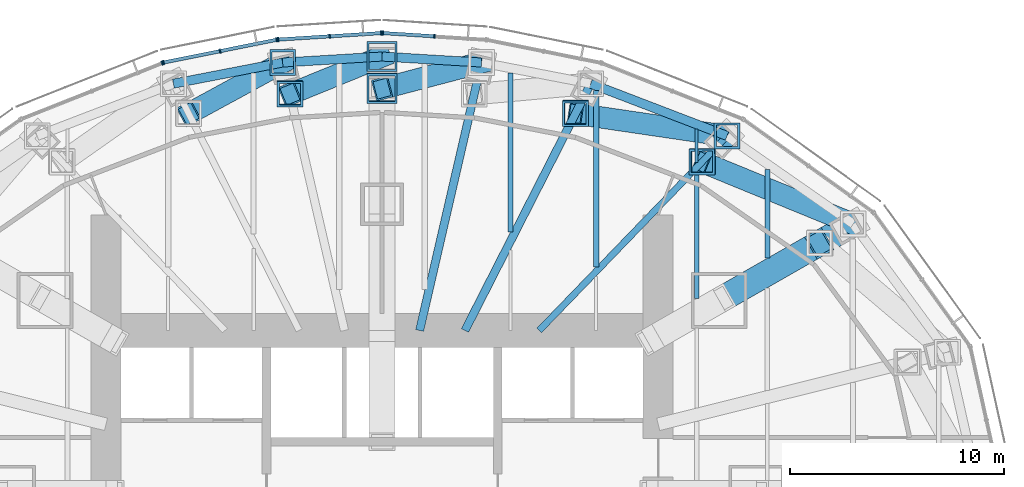
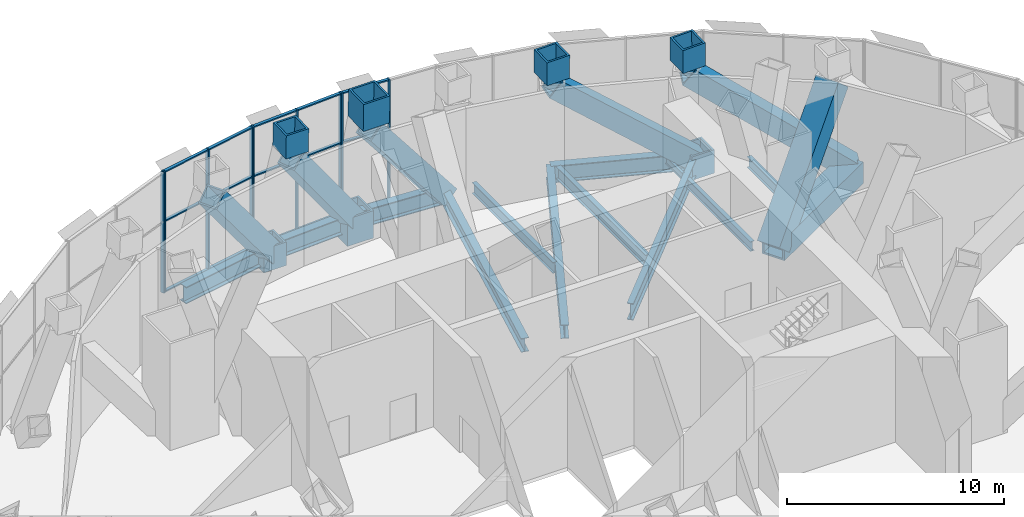
# One storey, part 9 of 19: 37 members, 13 beams, 4 elements without a shape of their own.
"""IFC4 building model written with IfcOpenShell, lengths in metres."""

from ifc_helpers import new_model, si_unit, direction, frame, origin, origin_2d, place, context, subcontext, project, spatial, rectangle, hollow_rectangle, i_section, extrude, material, material_profile, profile_set, type_object, element, aggregate, save


model = new_model("IFC4")

# Units and contexts
model_context = context("Model", 3, precision=1e-05, world=origin(), true_north=direction((0.0, 1.0)))
body_context = subcontext(model_context, "Body", "Model", "MODEL_VIEW")
ifc_project = project(units=[si_unit("LENGTHUNIT", "METRE"), si_unit("AREAUNIT", "SQUARE_METRE"), si_unit("VOLUMEUNIT", "CUBIC_METRE"), si_unit("PLANEANGLEUNIT", "RADIAN"), si_unit("MASSUNIT", "GRAM", prefix="KILO")], contexts=[model_context])

# Site, building, storey
site_placement = place(None, origin())
site = spatial("IfcSite", under=ifc_project, at=site_placement, CompositionType="ELEMENT")
building_placement = place(site_placement, origin())
building = spatial("IfcBuilding", under=site, at=building_placement, Name="Lantaw Convention Tower", CompositionType="ELEMENT")
storey_placement = place(building_placement, frame((0.0, 0.0, 193.0)))
storey = spatial("IfcBuildingStorey", under=building, at=storey_placement, Name="L45", CompositionType="ELEMENT", Elevation=193.0)

# Beams
ifc_material_1 = material(Name="Steel ASTM A992", Category="steel")
ifc_material_profile_1 = material_profile(ifc_material_1, i_section(OverallWidth=0.424072265625, OverallDepth=0.947509765625, WebThickness=0.02392578125, FlangeThickness=0.042724609375, FilletRadius=0.012451171875, at=origin_2d()), Name="W36X302")
ifc_profile_set_1 = profile_set([ifc_material_profile_1], Name="Steel ASTM A992")
beam_type_1 = type_object("IfcBeamType", Name="Beam BC W36X302", PredefinedType="SPANDREL", material=ifc_profile_set_1)
beam_1_placement = place(storey_placement, frame((16.11767578125, 16.690185546875, -0.673828125), z_axis=(-0.933691081977, 0.358079549033, 0.0), x_axis=(-0.358079549033, -0.933691081977, 0.0)))
element("IfcBeam", 1, at=beam_1_placement, inside=storey, type_object=beam_type_1, Name="Belt truss chord 4", PredefinedType="SPANDREL", context=body_context, shape_type="SweptSolid", body=[
    extrude(i_section(OverallWidth=0.424072265625, OverallDepth=0.947509765625, WebThickness=0.02392578125, FlangeThickness=0.042724609375, FilletRadius=0.012451171875, at=origin_2d()), origin(), (0.0, 0.0, 1.0), 6.821533203125),
])
for number, where, z_axis, x_axis, name in (
    (2, (4.64501953125, 20.1201171875, -0.673828125), (-0.998190892054, 0.06012439621, 0.0), (-0.06012439621, -0.998190892054, 0.0), "Belt truss chord 6"),
    (3, (0.0, 20.39990234375, -0.673828125), (-0.998190892054, -0.06012439621, 0.0), (0.06012439621, -0.998190892054, 0.0), "Belt truss chord 7"),
):
    element("IfcBeam", number, at=place(storey_placement, frame(where, z_axis=z_axis, x_axis=x_axis)), inside=storey, type_object=beam_type_1, Name=name, PredefinedType="SPANDREL", context=body_context, shape_type="SweptSolid", body=[
        extrude(i_section(OverallWidth=0.424072265625, OverallDepth=0.947509765625, WebThickness=0.02392578125, FlangeThickness=0.042724609375, FilletRadius=0.012451171875, at=origin_2d()), origin(), (0.0, 0.0, 1.0), 4.6533203125),
    ])
beam_2_placement = place(storey_placement, frame((-4.64501953125, 20.1201171875, -0.673828125), z_axis=(-0.981796805654, -0.189934284446, 0.0), x_axis=(0.189934284446, -0.981796805654, 0.0)))
element("IfcBeam", 4, at=beam_2_placement, inside=storey, type_object=beam_type_1, Name="Belt truss chord 8", PredefinedType="SPANDREL", context=body_context, shape_type="SweptSolid", body=[
    extrude(i_section(OverallWidth=0.424072265625, OverallDepth=0.947509765625, WebThickness=0.02392578125, FlangeThickness=0.042724609375, FilletRadius=0.012451171875, at=origin_2d()), origin(), (0.0, 0.0, 1.0), 5.1982421875),
])
ifc_material_2 = material(Name="Steel EN 10025-3 S460N", Category="steel")
ifc_material_profile_2 = material_profile(ifc_material_2, hollow_rectangle(XDim=1.199951171875, YDim=1.199951171875, WallThickness=0.10009765625, at=origin_2d()), Name="BOX1200X100")
ifc_profile_set_2 = profile_set([ifc_material_profile_2], Name="Steel EN 10025-3 S460N")
beam_type_2 = type_object("IfcBeamType", Name="Beam G BOX1200X100", PredefinedType="BEAM", material=ifc_profile_set_2)
beam_3_placement = place(storey_placement, frame((15.75, 9.0, -0.800048828125), z_axis=(0.868245224608, 0.496135293993, 0.0), x_axis=(-0.496135293993, 0.868245224608, 0.0)))
element("IfcBeam", 5, at=beam_3_placement, inside=storey, type_object=beam_type_2, Name="Floor girder on ray 3", PredefinedType="BEAM", context=body_context, shape_type="SweptSolid", body=[
    extrude(hollow_rectangle(XDim=1.199951171875, YDim=1.199951171875, WallThickness=0.10009765625, at=origin_2d()), origin(), (0.0, 0.0, 1.0), 7.21435546875),
])
ifc_material_profile_3 = material_profile(ifc_material_1, i_section(OverallWidth=0.381103515625, OverallDepth=0.772216796875, WebThickness=0.0166015625, FlangeThickness=0.027099609375, FilletRadius=0.0146484375, at=origin_2d()), Name="W30X173")
ifc_profile_set_3 = profile_set([ifc_material_profile_3], Name="Steel ASTM A992")
beam_type_3 = type_object("IfcBeamType", Name="Beam G W30X173", PredefinedType="BEAM", material=ifc_profile_set_3)
beam_4_placement = place(storey_placement, frame((3.872314453125, 7.60009765625, -0.586181640625), z_axis=(0.453991051051, 0.891006243281, 0.0), x_axis=(-0.891006243281, 0.453991051051, 0.0)))
element("IfcBeam", 6, at=beam_4_placement, inside=storey, type_object=beam_type_3, Name="Floor girder on ray 5", PredefinedType="BEAM", context=body_context, shape_type="SweptSolid", body=[
    extrude(i_section(OverallWidth=0.381103515625, OverallDepth=0.772216796875, WebThickness=0.0166015625, FlangeThickness=0.027099609375, FilletRadius=0.0146484375, at=origin_2d()), origin(), (0.0, 0.0, 1.0), 12.943359375),
])
beam_5_placement = place(storey_placement, frame((1.754638671875, 7.60009765625, -0.586181640625), z_axis=(0.224944153104, 0.974371658036, 0.0), x_axis=(-0.974371658036, 0.224944153104, 0.0)))
element("IfcBeam", 7, at=beam_5_placement, inside=storey, type_object=beam_type_3, Name="Floor girder on ray 6", PredefinedType="BEAM", context=body_context, shape_type="SweptSolid", body=[
    extrude(i_section(OverallWidth=0.381103515625, OverallDepth=0.772216796875, WebThickness=0.0166015625, FlangeThickness=0.027099609375, FilletRadius=0.0146484375, at=origin_2d()), origin(), (0.0, 0.0, 1.0), 12.849365234375),
])
ifc_material_profile_4 = material_profile(ifc_material_1, i_section(OverallWidth=0.307373046875, OverallDepth=0.9423828125, WebThickness=0.022216796875, FlangeThickness=0.039794921875, FilletRadius=0.0126953125, at=origin_2d()), Name="W36X232")
ifc_profile_set_4 = profile_set([ifc_material_profile_4], Name="Steel ASTM A992")
beam_type_4 = type_object("IfcBeamType", Name="Beam G W36X232", PredefinedType="BEAM", material=ifc_profile_set_4)
beam_6_placement = place(storey_placement, frame((7.33935546875, 7.60009765625, -0.671142578125), z_axis=(0.694663467407, 0.719334878239, 0.0), x_axis=(-0.719334878239, 0.694663467407, 0.0)))
element("IfcBeam", 8, at=beam_6_placement, inside=storey, type_object=beam_type_4, Name="Floor girder on ray 4", PredefinedType="BEAM", context=body_context, shape_type="SweptSolid", body=[
    extrude(i_section(OverallWidth=0.307373046875, OverallDepth=0.9423828125, WebThickness=0.022216796875, FlangeThickness=0.039794921875, FilletRadius=0.0126953125, at=origin_2d()), origin(), (0.0, 0.0, 1.0), 12.63671875),
])
ifc_material_profile_5 = material_profile(ifc_material_1, i_section(OverallWidth=0.140380859375, OverallDepth=0.40380859375, WebThickness=0.007080078125, FlangeThickness=0.01123046875, FilletRadius=0.01025390625, at=origin_2d()), Name="W16X31")
ifc_profile_set_5 = profile_set([ifc_material_profile_5], Name="Steel ASTM A992")
beam_type_5 = type_object("IfcBeamType", Name="Beam J W16X31", PredefinedType="JOIST", material=ifc_profile_set_5)
beam_7_placement = place(storey_placement, frame((14.699951171875, 15.443603515625, -0.40185546875), z_axis=(0.0, 1.0, 0.0), x_axis=(-1.0, 0.0, 0.0)))
element("IfcBeam", 9, at=beam_7_placement, inside=storey, type_object=beam_type_5, Name="Floor joist", PredefinedType="JOIST", context=body_context, shape_type="SweptSolid", body=[
    extrude(i_section(OverallWidth=0.140380859375, OverallDepth=0.40380859375, WebThickness=0.007080078125, FlangeThickness=0.01123046875, FilletRadius=0.01025390625, at=origin_2d()), origin(), (0.0, 0.0, 1.0), 1.563232421875),
])
ifc_material_profile_6 = material_profile(ifc_material_1, i_section(OverallWidth=0.2099609375, OverallDepth=0.535888671875, WebThickness=0.010986328125, FlangeThickness=0.017333984375, FilletRadius=0.012939453125, at=origin_2d()), Name="W21X68")
ifc_profile_set_6 = profile_set([ifc_material_profile_6], Name="Steel ASTM A992")
beam_type_6 = type_object("IfcBeamType", Name="Beam J W21X68", PredefinedType="JOIST", material=ifc_profile_set_6)
beam_8_placement = place(storey_placement, frame((14.699951171875, 9.091064453125, -0.468017578125), z_axis=(0.0, 1.0, 0.0), x_axis=(-1.0, 0.0, 0.0)))
element("IfcBeam", 10, at=beam_8_placement, inside=storey, type_object=beam_type_6, Name="Floor joist", PredefinedType="JOIST", context=body_context, shape_type="SweptSolid", body=[
    extrude(i_section(OverallWidth=0.2099609375, OverallDepth=0.535888671875, WebThickness=0.010986328125, FlangeThickness=0.017333984375, FilletRadius=0.012939453125, at=origin_2d()), origin(), (0.0, 0.0, 1.0), 5.909912109375),
])
ifc_material_profile_7 = material_profile(ifc_material_1, i_section(OverallWidth=0.227783203125, OverallDepth=0.60205078125, WebThickness=0.010498046875, FlangeThickness=0.014892578125, FilletRadius=0.012939453125, at=origin_2d()), Name="W24X68")
ifc_profile_set_7 = profile_set([ifc_material_profile_7], Name="Steel ASTM A992")
beam_type_7 = type_object("IfcBeamType", Name="Beam J W24X68", PredefinedType="JOIST", material=ifc_profile_set_7)
beam_9_placement = place(storey_placement, frame((18.0, 10.976806640625, -0.5009765625), z_axis=(0.0, 1.0, 0.0), x_axis=(-1.0, 0.0, 0.0)))
element("IfcBeam", 11, at=beam_9_placement, inside=storey, type_object=beam_type_7, Name="Floor joist", PredefinedType="JOIST", context=body_context, shape_type="SweptSolid", body=[
    extrude(i_section(OverallWidth=0.227783203125, OverallDepth=0.60205078125, WebThickness=0.010498046875, FlangeThickness=0.014892578125, FilletRadius=0.012939453125, at=origin_2d()), origin(), (0.0, 0.0, 1.0), 4.142578125),
])
ifc_material_profile_8 = material_profile(ifc_material_1, i_section(OverallWidth=0.22900390625, OverallDepth=0.612060546875, WebThickness=0.011962890625, FlangeThickness=0.01953125, FilletRadius=0.0126953125, at=origin_2d()), Name="W24X84")
ifc_profile_set_8 = profile_set([ifc_material_profile_8], Name="Steel ASTM A992")
beam_type_8 = type_object("IfcBeamType", Name="Beam J W24X84", PredefinedType="JOIST", material=ifc_profile_set_8)
beam_10_placement = place(storey_placement, frame((6.0, 12.1953125, -0.506103515625), z_axis=(0.0, 1.0, 0.0), x_axis=(-1.0, 0.0, 0.0)))
element("IfcBeam", 12, at=beam_10_placement, inside=storey, type_object=beam_type_8, Name="Floor joist", PredefinedType="JOIST", context=body_context, shape_type="SweptSolid", body=[
    extrude(i_section(OverallWidth=0.22900390625, OverallDepth=0.612060546875, WebThickness=0.011962890625, FlangeThickness=0.01953125, FilletRadius=0.0126953125, at=origin_2d()), origin(), (0.0, 0.0, 1.0), 7.446533203125),
])
ifc_material_profile_9 = material_profile(ifc_material_1, i_section(OverallWidth=0.25390625, OverallDepth=0.683349609375, WebThickness=0.012451171875, FlangeThickness=0.01904296875, FilletRadius=0.01513671875, at=origin_2d()), Name="W27X94")
ifc_profile_set_9 = profile_set([ifc_material_profile_9], Name="Steel ASTM A992")
beam_type_9 = type_object("IfcBeamType", Name="Beam J W27X94", PredefinedType="JOIST", material=ifc_profile_set_9)
beam_11_placement = place(storey_placement, frame((10.0, 10.576416015625, -0.541748046875), z_axis=(0.0, 1.0, 0.0), x_axis=(-1.0, 0.0, 0.0)))
element("IfcBeam", 13, at=beam_11_placement, inside=storey, type_object=beam_type_9, Name="Floor joist", PredefinedType="JOIST", context=body_context, shape_type="SweptSolid", body=[
    extrude(i_section(OverallWidth=0.25390625, OverallDepth=0.683349609375, WebThickness=0.012451171875, FlangeThickness=0.01904296875, FilletRadius=0.01513671875, at=origin_2d()), origin(), (0.0, 0.0, 1.0), 8.232666015625),
])

# Curtain wall, members
ifc_material_3 = material(Name="Aluminium framed curtain wall", Category="aluminium")
curtain_wall_type = type_object("IfcCurtainWallType", Name="Plant floor louvre wall, pale aluminium", PredefinedType="USERDEFINED", material=ifc_material_3)
curtain_wall_1_placement = place(storey_placement, origin())
curtain_wall_1 = element("IfcCurtainWall", 14, at=curtain_wall_1_placement, inside=storey, type_object=curtain_wall_type, Name="Plant floor louvre wall, pale aluminium L45", ObjectType="LOUVRE WALL", PredefinedType="USERDEFINED")
ifc_material_4 = material(Name="Aluminium 6063-T6", Category="aluminium")
ifc_material_profile_10 = material_profile(ifc_material_4, rectangle(XDim=0.199951171875, YDim=0.070068359375, at=origin_2d()), Name="CW-LV mullion 70x200")
ifc_profile_set_10 = profile_set([ifc_material_profile_10], Name="Aluminium 6063-T6")
member_type_1 = type_object("IfcMemberType", Name="CW-LV mullion 70x200", PredefinedType="MULLION", material=ifc_profile_set_10)
member_1_placement = place(storey_placement, frame((2.4462890625, 21.345947265625, -1.0), z_axis=(0.0, 0.0, 1.0), x_axis=(-0.062865059466, -0.998022035978, 0.0)))
member_1 = element("IfcMember", 15, at=member_1_placement, type_object=member_type_1, Name="CW-LV mullion 2", PredefinedType="MULLION", context=body_context, shape_type="SweptSolid", body=[
    extrude(rectangle(XDim=0.199951171875, YDim=0.070068359375, at=origin_2d()), origin(), (0.0, 0.0, 1.0), 6.800048828125),
])
member_2_placement = place(storey_placement, frame((0.034912109375, 21.497802734375, -1.0), z_axis=(0.0, 0.0, 1.0), x_axis=(-0.062865059466, -0.998022035978, 0.0)))
member_2 = element("IfcMember", 16, at=member_2_placement, type_object=member_type_1, Name="CW-LV mullion 3", PredefinedType="MULLION", context=body_context, shape_type="SweptSolid", body=[
    extrude(rectangle(XDim=0.199951171875, YDim=0.070068359375, at=origin_2d()), origin(), (0.0, 0.0, 1.0), 6.800048828125),
])

curtain_wall_2_placement = place(storey_placement, origin())
curtain_wall_2 = element("IfcCurtainWall", 17, at=curtain_wall_2_placement, inside=storey, type_object=curtain_wall_type, Name="Plant floor louvre wall, pale aluminium L45", ObjectType="LOUVRE WALL", PredefinedType="USERDEFINED")
member_3_placement = place(storey_placement, frame((-0.034912109375, 21.497802734375, -1.0), z_axis=(0.0, 0.0, 1.0), x_axis=(0.062865059466, -0.998022035978, 0.0)))
member_3 = element("IfcMember", 18, at=member_3_placement, type_object=member_type_1, Name="CW-LV mullion 1", PredefinedType="MULLION", context=body_context, shape_type="SweptSolid", body=[
    extrude(rectangle(XDim=0.199951171875, YDim=0.070068359375, at=origin_2d()), origin(), (0.0, 0.0, 1.0), 6.800048828125),
])
member_4_placement = place(storey_placement, frame((-2.4462890625, 21.345947265625, -1.0), z_axis=(0.0, 0.0, 1.0), x_axis=(0.062865059466, -0.998022035978, 0.0)))
member_4 = element("IfcMember", 19, at=member_4_placement, type_object=member_type_1, Name="CW-LV mullion 2", PredefinedType="MULLION", context=body_context, shape_type="SweptSolid", body=[
    extrude(rectangle(XDim=0.199951171875, YDim=0.070068359375, at=origin_2d()), origin(), (0.0, 0.0, 1.0), 6.800048828125),
])
member_5_placement = place(storey_placement, frame((-4.857666015625, 21.194091796875, -1.0), z_axis=(0.0, 0.0, 1.0), x_axis=(0.062865059466, -0.998022035978, 0.0)))
member_5 = element("IfcMember", 20, at=member_5_placement, type_object=member_type_1, Name="CW-LV mullion 3", PredefinedType="MULLION", context=body_context, shape_type="SweptSolid", body=[
    extrude(rectangle(XDim=0.199951171875, YDim=0.070068359375, at=origin_2d()), origin(), (0.0, 0.0, 1.0), 6.800048828125),
])

curtain_wall_3_placement = place(storey_placement, origin())
curtain_wall_3 = element("IfcCurtainWall", 21, at=curtain_wall_3_placement, inside=storey, type_object=curtain_wall_type, Name="Plant floor louvre wall, pale aluminium L45", ObjectType="LOUVRE WALL", PredefinedType="USERDEFINED")
member_6_placement = place(storey_placement, frame((-4.9267578125, 21.184814453125, -1.0), z_axis=(0.0, 0.0, 1.0), x_axis=(0.197506809659, -0.980301514912, 0.0)))
member_6 = element("IfcMember", 22, at=member_6_placement, type_object=member_type_1, Name="CW-LV mullion 1", PredefinedType="MULLION", context=body_context, shape_type="SweptSolid", body=[
    extrude(rectangle(XDim=0.199951171875, YDim=0.070068359375, at=origin_2d()), origin(), (0.0, 0.0, 1.0), 6.800048828125),
])
member_7_placement = place(storey_placement, frame((-7.5703125, 20.65234375, -1.0), z_axis=(0.0, 0.0, 1.0), x_axis=(0.197506809659, -0.980301514912, 0.0)))
member_7 = element("IfcMember", 23, at=member_7_placement, type_object=member_type_1, Name="CW-LV mullion 2", PredefinedType="MULLION", context=body_context, shape_type="SweptSolid", body=[
    extrude(rectangle(XDim=0.199951171875, YDim=0.070068359375, at=origin_2d()), origin(), (0.0, 0.0, 1.0), 6.800048828125),
])
member_8_placement = place(storey_placement, frame((-10.213623046875, 20.11962890625, -1.0), z_axis=(0.0, 0.0, 1.0), x_axis=(0.197506809659, -0.980301514912, 0.0)))
member_8 = element("IfcMember", 24, at=member_8_placement, type_object=member_type_1, Name="CW-LV mullion 3", PredefinedType="MULLION", context=body_context, shape_type="SweptSolid", body=[
    extrude(rectangle(XDim=0.199951171875, YDim=0.070068359375, at=origin_2d()), origin(), (0.0, 0.0, 1.0), 6.800048828125),
])

# Curtain wall, member
curtain_wall_4_placement = place(storey_placement, origin())
curtain_wall_4 = element("IfcCurtainWall", 25, at=curtain_wall_4_placement, inside=storey, type_object=curtain_wall_type, Name="Plant floor louvre wall, pale aluminium L45", ObjectType="LOUVRE WALL", PredefinedType="USERDEFINED")
member_9_placement = place(storey_placement, frame((-10.280517578125, 20.099853515625, -1.0), z_axis=(0.0, 0.0, 1.0), x_axis=(0.368701907483, -0.929547687544, 0.0)))
member_9 = element("IfcMember", 26, at=member_9_placement, type_object=member_type_1, Name="CW-LV mullion 1", PredefinedType="MULLION", context=body_context, shape_type="SweptSolid", body=[
    extrude(rectangle(XDim=0.199951171875, YDim=0.070068359375, at=origin_2d()), origin(), (0.0, 0.0, 1.0), 6.800048828125),
])
aggregate(curtain_wall_4, [member_9])

# Member
ifc_material_profile_11 = material_profile(ifc_material_4, rectangle(XDim=0.159912109375, YDim=0.070068359375, at=origin_2d()), Name="CW-LV transom 70x160")
ifc_profile_set_11 = profile_set([ifc_material_profile_11], Name="Aluminium 6063-T6")
member_type_2 = type_object("IfcMemberType", Name="CW-LV transom 70x160", PredefinedType="USERDEFINED", material=ifc_profile_set_11)
member_10_placement = place(storey_placement, frame((2.411376953125, 21.34814453125, -0.965087890625), z_axis=(-0.99802290903, 0.062851197691, 0.0), x_axis=(-0.062851197691, -0.99802290903, 0.0)))
member_10 = element("IfcMember", 27, at=member_10_placement, type_object=member_type_2, Name="CW-LV transom 2.1", ObjectType="TRANSOM", PredefinedType="USERDEFINED", context=body_context, shape_type="SweptSolid", body=[
    extrude(rectangle(XDim=0.159912109375, YDim=0.070068359375, at=origin_2d()), origin(), (0.0, 0.0, 1.0), 2.34619140625),
])

member_11_placement = place(storey_placement, frame((2.411376953125, 21.34814453125, 3.0), z_axis=(-0.99802290903, 0.062851197691, 0.0), x_axis=(-0.062851197691, -0.99802290903, 0.0)))
member_11 = element("IfcMember", 28, at=member_11_placement, type_object=member_type_2, Name="CW-LV transom 2.2", ObjectType="TRANSOM", PredefinedType="USERDEFINED", context=body_context, shape_type="SweptSolid", body=[
    extrude(rectangle(XDim=0.159912109375, YDim=0.070068359375, at=origin_2d()), origin(), (0.0, 0.0, 1.0), 2.34619140625),
])

member_12_placement = place(storey_placement, frame((2.411376953125, 21.34814453125, 5.764892578125), z_axis=(-0.99802290903, 0.062851197691, 0.0), x_axis=(-0.062851197691, -0.99802290903, 0.0)))
member_12 = element("IfcMember", 29, at=member_12_placement, type_object=member_type_2, Name="CW-LV transom 2.3", ObjectType="TRANSOM", PredefinedType="USERDEFINED", context=body_context, shape_type="SweptSolid", body=[
    extrude(rectangle(XDim=0.159912109375, YDim=0.070068359375, at=origin_2d()), origin(), (0.0, 0.0, 1.0), 2.34619140625),
])

aggregate(curtain_wall_1, [member_1, member_2, member_10, member_11, member_12])

member_13_placement = place(storey_placement, frame((-0.06982421875, 21.49560546875, -0.965087890625), z_axis=(-0.99802290903, -0.062851197691, 0.0), x_axis=(0.062851197691, -0.99802290903, 0.0)))
member_13 = element("IfcMember", 30, at=member_13_placement, type_object=member_type_2, Name="CW-LV transom 1.1", ObjectType="TRANSOM", PredefinedType="USERDEFINED", context=body_context, shape_type="SweptSolid", body=[
    extrude(rectangle(XDim=0.159912109375, YDim=0.070068359375, at=origin_2d()), origin(), (0.0, 0.0, 1.0), 2.34619140625),
])

member_14_placement = place(storey_placement, frame((-0.06982421875, 21.49560546875, 3.0), z_axis=(-0.99802290903, -0.062851197691, 0.0), x_axis=(0.062851197691, -0.99802290903, 0.0)))
member_14 = element("IfcMember", 31, at=member_14_placement, type_object=member_type_2, Name="CW-LV transom 1.2", ObjectType="TRANSOM", PredefinedType="USERDEFINED", context=body_context, shape_type="SweptSolid", body=[
    extrude(rectangle(XDim=0.159912109375, YDim=0.070068359375, at=origin_2d()), origin(), (0.0, 0.0, 1.0), 2.34619140625),
])

member_15_placement = place(storey_placement, frame((-0.06982421875, 21.49560546875, 5.764892578125), z_axis=(-0.99802290903, -0.062851197691, 0.0), x_axis=(0.062851197691, -0.99802290903, 0.0)))
member_15 = element("IfcMember", 32, at=member_15_placement, type_object=member_type_2, Name="CW-LV transom 1.3", ObjectType="TRANSOM", PredefinedType="USERDEFINED", context=body_context, shape_type="SweptSolid", body=[
    extrude(rectangle(XDim=0.159912109375, YDim=0.070068359375, at=origin_2d()), origin(), (0.0, 0.0, 1.0), 2.34619140625),
])

member_16_placement = place(storey_placement, frame((-2.481201171875, 21.34375, -0.965087890625), z_axis=(-0.99802290903, -0.062851197691, 0.0), x_axis=(0.062851197691, -0.99802290903, 0.0)))
member_16 = element("IfcMember", 33, at=member_16_placement, type_object=member_type_2, Name="CW-LV transom 2.1", ObjectType="TRANSOM", PredefinedType="USERDEFINED", context=body_context, shape_type="SweptSolid", body=[
    extrude(rectangle(XDim=0.159912109375, YDim=0.070068359375, at=origin_2d()), origin(), (0.0, 0.0, 1.0), 2.34619140625),
])

member_17_placement = place(storey_placement, frame((-2.481201171875, 21.34375, 3.0), z_axis=(-0.99802290903, -0.062851197691, 0.0), x_axis=(0.062851197691, -0.99802290903, 0.0)))
member_17 = element("IfcMember", 34, at=member_17_placement, type_object=member_type_2, Name="CW-LV transom 2.2", ObjectType="TRANSOM", PredefinedType="USERDEFINED", context=body_context, shape_type="SweptSolid", body=[
    extrude(rectangle(XDim=0.159912109375, YDim=0.070068359375, at=origin_2d()), origin(), (0.0, 0.0, 1.0), 2.34619140625),
])

member_18_placement = place(storey_placement, frame((-2.481201171875, 21.34375, 5.764892578125), z_axis=(-0.99802290903, -0.062851197691, 0.0), x_axis=(0.062851197691, -0.99802290903, 0.0)))
member_18 = element("IfcMember", 35, at=member_18_placement, type_object=member_type_2, Name="CW-LV transom 2.3", ObjectType="TRANSOM", PredefinedType="USERDEFINED", context=body_context, shape_type="SweptSolid", body=[
    extrude(rectangle(XDim=0.159912109375, YDim=0.070068359375, at=origin_2d()), origin(), (0.0, 0.0, 1.0), 2.34619140625),
])

aggregate(curtain_wall_2, [member_3, member_4, member_5, member_13, member_14, member_15, member_16, member_17, member_18])

member_19_placement = place(storey_placement, frame((-4.961181640625, 21.177978515625, -0.965087890625), z_axis=(-0.980297220397, -0.197528123776, 0.0), x_axis=(0.197528123776, -0.980297220397, 0.0)))
member_19 = element("IfcMember", 36, at=member_19_placement, type_object=member_type_2, Name="CW-LV transom 1.1", ObjectType="TRANSOM", PredefinedType="USERDEFINED", context=body_context, shape_type="SweptSolid", body=[
    extrude(rectangle(XDim=0.159912109375, YDim=0.070068359375, at=origin_2d()), origin(), (0.0, 0.0, 1.0), 2.62646484375),
])

member_20_placement = place(storey_placement, frame((-4.961181640625, 21.177978515625, 3.0), z_axis=(-0.980297220397, -0.197528123776, 0.0), x_axis=(0.197528123776, -0.980297220397, 0.0)))
member_20 = element("IfcMember", 37, at=member_20_placement, type_object=member_type_2, Name="CW-LV transom 1.2", ObjectType="TRANSOM", PredefinedType="USERDEFINED", context=body_context, shape_type="SweptSolid", body=[
    extrude(rectangle(XDim=0.159912109375, YDim=0.070068359375, at=origin_2d()), origin(), (0.0, 0.0, 1.0), 2.62646484375),
])

member_21_placement = place(storey_placement, frame((-4.961181640625, 21.177978515625, 5.764892578125), z_axis=(-0.980297220397, -0.197528123776, 0.0), x_axis=(0.197528123776, -0.980297220397, 0.0)))
member_21 = element("IfcMember", 38, at=member_21_placement, type_object=member_type_2, Name="CW-LV transom 1.3", ObjectType="TRANSOM", PredefinedType="USERDEFINED", context=body_context, shape_type="SweptSolid", body=[
    extrude(rectangle(XDim=0.159912109375, YDim=0.070068359375, at=origin_2d()), origin(), (0.0, 0.0, 1.0), 2.62646484375),
])

member_22_placement = place(storey_placement, frame((-7.6044921875, 20.6455078125, -0.965087890625), z_axis=(-0.980300846737, -0.197510126037, 0.0), x_axis=(0.197510126037, -0.980300846737, 0.0)))
member_22 = element("IfcMember", 39, at=member_22_placement, type_object=member_type_2, Name="CW-LV transom 2.1", ObjectType="TRANSOM", PredefinedType="USERDEFINED", context=body_context, shape_type="SweptSolid", body=[
    extrude(rectangle(XDim=0.159912109375, YDim=0.070068359375, at=origin_2d()), origin(), (0.0, 0.0, 1.0), 2.626708984375),
])

member_23_placement = place(storey_placement, frame((-7.6044921875, 20.6455078125, 3.0), z_axis=(-0.980300846737, -0.197510126037, 0.0), x_axis=(0.197510126037, -0.980300846737, 0.0)))
member_23 = element("IfcMember", 40, at=member_23_placement, type_object=member_type_2, Name="CW-LV transom 2.2", ObjectType="TRANSOM", PredefinedType="USERDEFINED", context=body_context, shape_type="SweptSolid", body=[
    extrude(rectangle(XDim=0.159912109375, YDim=0.070068359375, at=origin_2d()), origin(), (0.0, 0.0, 1.0), 2.626708984375),
])

member_24_placement = place(storey_placement, frame((-7.6044921875, 20.6455078125, 5.764892578125), z_axis=(-0.980300846737, -0.197510126037, 0.0), x_axis=(0.197510126037, -0.980300846737, 0.0)))
member_24 = element("IfcMember", 41, at=member_24_placement, type_object=member_type_2, Name="CW-LV transom 2.3", ObjectType="TRANSOM", PredefinedType="USERDEFINED", context=body_context, shape_type="SweptSolid", body=[
    extrude(rectangle(XDim=0.159912109375, YDim=0.070068359375, at=origin_2d()), origin(), (0.0, 0.0, 1.0), 2.626708984375),
])

aggregate(curtain_wall_3, [member_6, member_7, member_8, member_19, member_20, member_21, member_22, member_23, member_24])

# Members
ifc_material_5 = material(Name="Steel ASTM A572 Grade 50", Category="steel")
ifc_material_profile_12 = material_profile(ifc_material_5, hollow_rectangle(XDim=1.0, YDim=1.0, WallThickness=0.080078125, at=origin_2d()), Name="BOX1000X80")
ifc_profile_set_12 = profile_set([ifc_material_profile_12], Name="Steel ASTM A572 Grade 50")
member_type_3 = type_object("IfcMemberType", Name="Member BT BOX1000X80", PredefinedType="BRACE", material=ifc_profile_set_12)
member_25_placement = place(storey_placement, frame((22.013916015625, 12.579345703125, -0.673828125), z_axis=(-0.725442568683, 0.297171659693, 0.620823714284), x_axis=(-0.379069563047, -0.925368178819, 0.0)))
element("IfcMember", 42, at=member_25_placement, inside=storey, type_object=member_type_3, Name="Belt truss diagonal 3", PredefinedType="BRACE", context=body_context, shape_type="SweptSolid", body=[
    extrude(hollow_rectangle(XDim=1.0, YDim=1.0, WallThickness=0.080078125, at=origin_2d()), origin(), (0.0, 0.0, 1.0), 9.7451171875),
])
member_26_placement = place(storey_placement, frame((16.11767578125, 16.690185546875, -0.673828125), z_axis=(-0.755668354651, 0.111089395167, 0.645464549035), x_axis=(-0.145444901959, -0.989366353023, 0.0)))
element("IfcMember", 43, at=member_26_placement, inside=storey, type_object=member_type_3, Name="Belt truss diagonal 4", PredefinedType="BRACE", context=body_context, shape_type="SweptSolid", body=[
    extrude(hollow_rectangle(XDim=1.0, YDim=1.0, WallThickness=0.080078125, at=origin_2d()), origin(), (0.0, 0.0, 1.0), 9.373291015625),
])
member_27_placement = place(storey_placement, frame((4.64501953125, 20.1201171875, -0.673828125), z_axis=(-0.601334329172, -0.157966413182, 0.783226427584), x_axis=(0.254072899472, -0.967185071098, 0.0)))
element("IfcMember", 44, at=member_27_placement, inside=storey, type_object=member_type_3, Name="Belt truss diagonal 6", PredefinedType="BRACE", context=body_context, shape_type="SweptSolid", body=[
    extrude(hollow_rectangle(XDim=1.0, YDim=1.0, WallThickness=0.080078125, at=origin_2d()), origin(), (0.0, 0.0, 1.0), 7.724609375),
])
member_28_placement = place(storey_placement, frame((0.0, 20.39990234375, -0.673828125), z_axis=(-0.564082629148, -0.23038146973, 0.792928222413), x_axis=(0.37809909423, -0.92576512947, 0.0)))
element("IfcMember", 45, at=member_28_placement, inside=storey, type_object=member_type_3, Name="Belt truss diagonal 7", PredefinedType="BRACE", context=body_context, shape_type="SweptSolid", body=[
    extrude(hollow_rectangle(XDim=1.0, YDim=1.0, WallThickness=0.080078125, at=origin_2d()), origin(), (0.0, 0.0, 1.0), 7.630126953125),
])
member_29_placement = place(storey_placement, frame((-4.64501953125, 20.1201171875, -0.673828125), z_axis=(-0.559393546915, -0.304399692047, 0.770986178314), x_axis=(0.47797565366, -0.878373083893, 0.0)))
element("IfcMember", 46, at=member_29_placement, inside=storey, type_object=member_type_3, Name="Belt truss diagonal 8", PredefinedType="BRACE", context=body_context, shape_type="SweptSolid", body=[
    extrude(hollow_rectangle(XDim=1.0, YDim=1.0, WallThickness=0.080078125, at=origin_2d()), origin(), (0.0, 0.0, 1.0), 7.84716796875),
])
ifc_material_6 = material(Name="Cast steel ASTM A148 Grade 80-50", Category="steel")
ifc_material_profile_13 = material_profile(ifc_material_6, hollow_rectangle(XDim=1.199951171875, YDim=1.199951171875, WallThickness=0.10009765625, at=origin_2d()), Name="BOX1200X100")
ifc_profile_set_13 = profile_set([ifc_material_profile_13], Name="Cast steel ASTM A148 Grade 80-50")
member_type_4 = type_object("IfcMemberType", Name="Member CN BOX1200X100", PredefinedType="USERDEFINED", material=ifc_profile_set_13)
member_30_placement = place(storey_placement, frame((16.11767578125, 16.690185546875, -1.320068359375), z_axis=(0.0, 0.0, 1.0), x_axis=(1.0, 0.0, 0.0)))
element("IfcMember", 47, at=member_30_placement, inside=storey, type_object=member_type_4, Name="Cast steel column node", ObjectType="COLUMN NODE", PredefinedType="USERDEFINED", context=body_context, shape_type="SweptSolid", body=[
    extrude(hollow_rectangle(XDim=1.199951171875, YDim=1.199951171875, WallThickness=0.10009765625, at=origin_2d()), origin(), (0.0, 0.0, 1.0), 1.320068359375),
])
member_31_placement = place(storey_placement, frame((14.976806640625, 15.509033203125, 5.83447265625), z_axis=(-0.02458230535, -0.025506452167, 0.99937236862), x_axis=(0.999697322822, 0.000359191434, 0.024599465943)))
element("IfcMember", 48, at=member_31_placement, inside=storey, type_object=member_type_4, Name="Cast steel column node", ObjectType="COLUMN NODE", PredefinedType="USERDEFINED", context=body_context, shape_type="SweptSolid", body=[
    extrude(hollow_rectangle(XDim=1.199951171875, YDim=1.199951171875, WallThickness=0.10009765625, at=origin_2d()), origin(), (0.0, 0.0, 1.0), 1.32080078125),
])
member_32_placement = place(storey_placement, frame((9.05322265625, 17.767822265625, 5.844970703125), z_axis=(-0.014051729303, -0.027548785081, 0.999521692283), x_axis=(0.999901172454, -0.000827736643, 0.014034250157)))
element("IfcMember", 49, at=member_32_placement, inside=storey, type_object=member_type_4, Name="Cast steel column node", ObjectType="COLUMN NODE", PredefinedType="USERDEFINED", context=body_context, shape_type="SweptSolid", body=[
    extrude(hollow_rectangle(XDim=1.199951171875, YDim=1.199951171875, WallThickness=0.10009765625, at=origin_2d()), origin(), (0.0, 0.0, 1.0), 1.320556640625),
])
member_33_placement = place(storey_placement, frame((-4.64501953125, 20.1201171875, -1.320068359375), z_axis=(0.0, 0.0, 1.0), x_axis=(1.0, 0.0, 0.0)))
element("IfcMember", 50, at=member_33_placement, inside=storey, type_object=member_type_4, Name="Cast steel column node", ObjectType="COLUMN NODE", PredefinedType="USERDEFINED", context=body_context, shape_type="SweptSolid", body=[
    extrude(hollow_rectangle(XDim=1.199951171875, YDim=1.199951171875, WallThickness=0.10009765625, at=origin_2d()), origin(), (0.0, 0.0, 1.0), 1.320068359375),
])
member_34_placement = place(storey_placement, frame((-4.3125, 18.678955078125, 5.849853515625), z_axis=(0.006470432268, -0.027915293498, 0.999589350631), x_axis=(0.999978679056, 0.001060609157, -0.006443333047)))
element("IfcMember", 51, at=member_34_placement, inside=storey, type_object=member_type_4, Name="Cast steel column node", ObjectType="COLUMN NODE", PredefinedType="USERDEFINED", context=body_context, shape_type="SweptSolid", body=[
    extrude(hollow_rectangle(XDim=1.199951171875, YDim=1.199951171875, WallThickness=0.10009765625, at=origin_2d()), origin(), (0.0, 0.0, 1.0), 1.320556640625),
])
ifc_material_profile_14 = material_profile(ifc_material_6, hollow_rectangle(XDim=1.39990234375, YDim=1.39990234375, WallThickness=0.10009765625, at=origin_2d()), Name="BOX1400X100")
ifc_profile_set_14 = profile_set([ifc_material_profile_14], Name="Cast steel ASTM A148 Grade 80-50")
member_type_5 = type_object("IfcMemberType", Name="Member CN BOX1400X100", PredefinedType="USERDEFINED", material=ifc_profile_set_14)
member_35_placement = place(storey_placement, frame((0.0, 20.39990234375, -1.5400390625), z_axis=(0.0, 0.0, 1.0), x_axis=(1.0, 0.0, 0.0)))
element("IfcMember", 52, at=member_35_placement, inside=storey, type_object=member_type_5, Name="Cast steel column node", ObjectType="COLUMN NODE", PredefinedType="USERDEFINED", context=body_context, shape_type="SweptSolid", body=[
    extrude(hollow_rectangle(XDim=1.39990234375, YDim=1.39990234375, WallThickness=0.10009765625, at=origin_2d()), origin(), (0.0, 0.0, 1.0), 1.5400390625),
])
member_36_placement = place(storey_placement, frame((0.0, 18.943115234375, 5.8271484375), z_axis=(0.0, -0.02804856712, 0.999606561544), x_axis=(1.0, 0.0, 0.0)))
element("IfcMember", 53, at=member_36_placement, inside=storey, type_object=member_type_5, Name="Cast steel column node", ObjectType="COLUMN NODE", PredefinedType="USERDEFINED", context=body_context, shape_type="SweptSolid", body=[
    extrude(hollow_rectangle(XDim=1.39990234375, YDim=1.39990234375, WallThickness=0.10009765625, at=origin_2d()), origin(), (0.0, 0.0, 1.0), 1.54052734375),
])
ifc_material_profile_15 = material_profile(ifc_material_2, hollow_rectangle(XDim=1.199951171875, YDim=1.199951171875, WallThickness=0.10009765625, at=origin_2d()), Name="BOX1200X100")
ifc_profile_set_15 = profile_set([ifc_material_profile_15], Name="Steel EN 10025-3 S460N")
member_type_6 = type_object("IfcMemberType", Name="Member OT BOX1200X100", PredefinedType="BRACE", material=ifc_profile_set_15)
member_37_placement = place(storey_placement, frame((15.75, 9.0, -0.800048828125), z_axis=(0.577092519306, 0.329775768046, 0.747135976225), x_axis=(-0.496148708192, 0.868237559289, 0.0)))
element("IfcMember", 54, at=member_37_placement, inside=storey, type_object=member_type_6, Name="Outrigger diagonal 3 (outer)", PredefinedType="BRACE", context=body_context, shape_type="SweptSolid", body=[
    extrude(hollow_rectangle(XDim=1.199951171875, YDim=1.199951171875, WallThickness=0.10009765625, at=origin_2d()), origin(), (0.0, 0.0, 1.0), 8.09765625),
])

save(model, "model.ifc")
